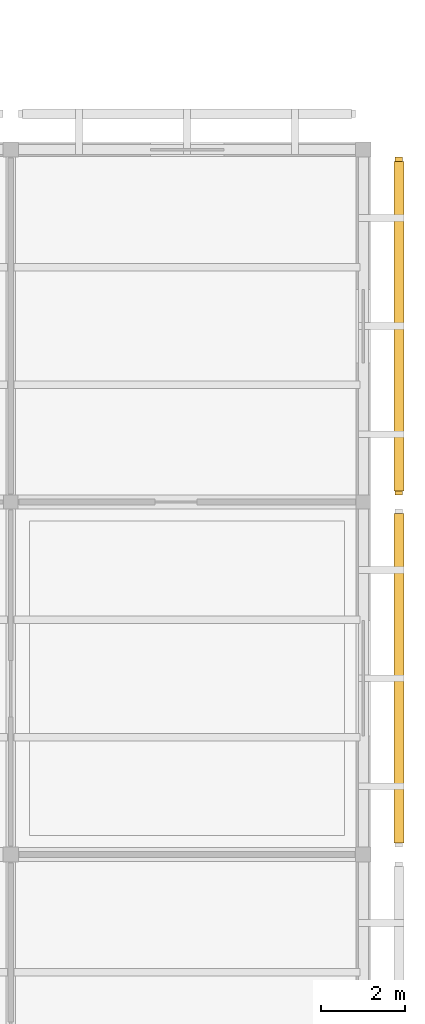
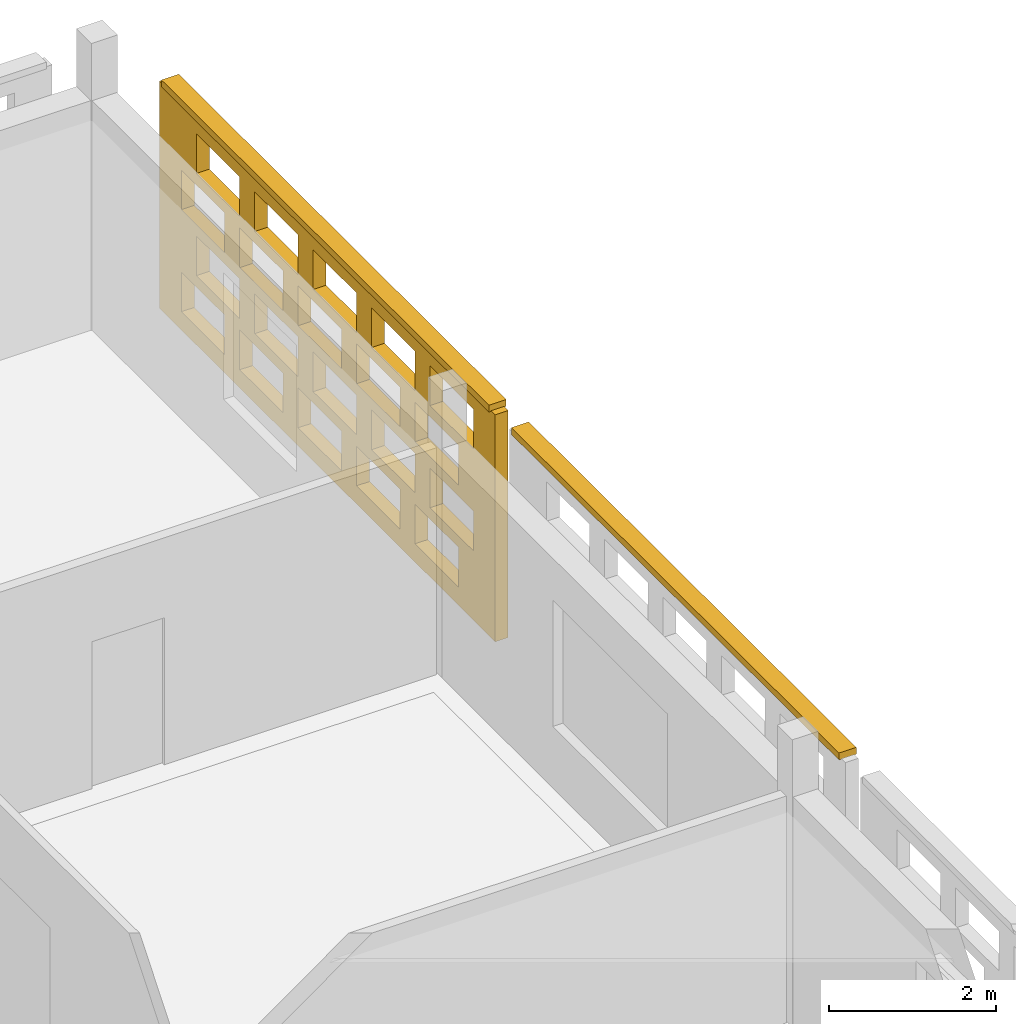
# One storey, part 103 of 103: 2 shading devices, 1 covering, 20 openings.
"""IFC4 building model written with IfcOpenShell, lengths in metres."""

from ifc_helpers import new_model, si_unit, direction, frame, frame_2d, origin, origin_2d, place, context, subcontext, project, spatial, rectangle, extrude, material, layer, layer_set, type_object, element, save


model = new_model("IFC4")

# Units and contexts
model_context = context("Model", 3, precision=1e-05, world=origin(), true_north=direction((0.0, 1.0)))
body_context = subcontext(model_context, "Body", "Model", "MODEL_VIEW")
ifc_project = project(units=[si_unit("LENGTHUNIT", "METRE"), si_unit("AREAUNIT", "SQUARE_METRE"), si_unit("VOLUMEUNIT", "CUBIC_METRE"), si_unit("PLANEANGLEUNIT", "RADIAN"), si_unit("MASSUNIT", "GRAM", prefix="KILO")], contexts=[model_context])

# Site, building, storey
site_placement = place(None, origin())
site = spatial("IfcSite", under=ifc_project, at=site_placement, CompositionType="ELEMENT")
building_placement = place(site_placement, origin())
building = spatial("IfcBuilding", under=site, at=building_placement, Name="Varnapada Polytechnic", CompositionType="ELEMENT")
storey_placement = place(building_placement, frame((0.0, 0.0, 18.0)))
storey = spatial("IfcBuildingStorey", under=building, at=storey_placement, Name="L04", CompositionType="ELEMENT", Elevation=18.0)

# Covering, openings
ifc_material = material(Name="Earth-toned architectural terracotta screen block", Category="masonry")
ifc_layer_1 = layer(ifc_material, 0.1201171875)
ifc_layer_set_1 = layer_set([ifc_layer_1], Name="Earth-toned architectural terracotta screen block")
covering_type = type_object("IfcCoveringType", Name="Terracotta Screen Cladding CLD-01", PredefinedType="CLADDING", material=ifc_layer_set_1)
covering_placement = place(storey_placement, frame((177.25, 117.419921875, 0.0), z_axis=(0.0, 0.0, 1.0), x_axis=(0.0, -1.0, 0.0)))
covering = element("IfcCovering", 1, at=covering_placement, inside=storey, type_object=covering_type, Name="L04 perforated terracotta block screen (60)", PredefinedType="CLADDING", context=body_context, shape_type="SweptSolid", body=[
    extrude(rectangle(XDim=8.0498046875, YDim=0.179931640625, at=frame_2d((4.02490234375, 0.0))), origin(), (0.0, 0.0, 1.0), 3.320068359375),
])
opening_1_placement = place(covering_placement, frame((0.52490234375, 0.0, 0.265625)))
element("IfcOpeningElement", 2, at=opening_1_placement, cuts=covering, Name="Screen perforation TBS-L04-059.1", PredefinedType="OPENING", context=body_context, shape_type="SweptSolid", body=[
    extrude(rectangle(XDim=1.0400390625, YDim=0.5810546875, at=frame_2d((0.52001953125, 0.29052734375))), frame((0.0, 0.099853515625, 0.0), z_axis=(0.0, -1.0, 0.0), x_axis=(1.0, 0.0, 0.0)), (0.0, 0.0, 1.0), 0.199951171875),
])
opening_2_placement = place(covering_placement, frame((1.925048828125, 0.0, 0.265625)))
element("IfcOpeningElement", 3, at=opening_2_placement, cuts=covering, Name="Screen perforation TBS-L04-059.2", PredefinedType="OPENING", context=body_context, shape_type="SweptSolid", body=[
    extrude(rectangle(XDim=1.0400390625, YDim=0.5810546875, at=frame_2d((0.52001953125, 0.29052734375))), frame((0.0, 0.099853515625, 0.0), z_axis=(0.0, -1.0, 0.0), x_axis=(1.0, 0.0, 0.0)), (0.0, 0.0, 1.0), 0.199951171875),
])
opening_3_placement = place(covering_placement, frame((3.324951171875, 0.0, 0.265625)))
element("IfcOpeningElement", 4, at=opening_3_placement, cuts=covering, Name="Screen perforation TBS-L04-059.3", PredefinedType="OPENING", context=body_context, shape_type="SweptSolid", body=[
    extrude(rectangle(XDim=1.0400390625, YDim=0.5810546875, at=frame_2d((0.52001953125, 0.29052734375))), frame((0.0, 0.099853515625, 0.0), z_axis=(0.0, -1.0, 0.0), x_axis=(1.0, 0.0, 0.0)), (0.0, 0.0, 1.0), 0.199951171875),
])
opening_4_placement = place(covering_placement, frame((4.72509765625, 0.0, 0.265625)))
element("IfcOpeningElement", 5, at=opening_4_placement, cuts=covering, Name="Screen perforation TBS-L04-059.4", PredefinedType="OPENING", context=body_context, shape_type="SweptSolid", body=[
    extrude(rectangle(XDim=1.0400390625, YDim=0.5810546875, at=frame_2d((0.52001953125, 0.29052734375))), frame((0.0, 0.099853515625, 0.0), z_axis=(0.0, -1.0, 0.0), x_axis=(1.0, 0.0, 0.0)), (0.0, 0.0, 1.0), 0.199951171875),
])
opening_5_placement = place(covering_placement, frame((6.125, 0.0, 0.265625)))
element("IfcOpeningElement", 6, at=opening_5_placement, cuts=covering, Name="Screen perforation TBS-L04-059.5", PredefinedType="OPENING", context=body_context, shape_type="SweptSolid", body=[
    extrude(rectangle(XDim=1.0400390625, YDim=0.5810546875, at=frame_2d((0.52001953125, 0.29052734375))), frame((0.0, 0.099853515625, 0.0), z_axis=(0.0, -1.0, 0.0), x_axis=(1.0, 0.0, 0.0)), (0.0, 0.0, 1.0), 0.199951171875),
])
opening_6_placement = place(covering_placement, frame((0.885009765625, 0.0, 1.0126953125)))
element("IfcOpeningElement", 7, at=opening_6_placement, cuts=covering, Name="Screen perforation TBS-L04-059.6", PredefinedType="OPENING", context=body_context, shape_type="SweptSolid", body=[
    extrude(rectangle(XDim=1.0400390625, YDim=0.5810546875, at=frame_2d((0.52001953125, 0.29052734375))), frame((0.0, 0.099853515625, 0.0), z_axis=(0.0, -1.0, 0.0), x_axis=(1.0, 0.0, 0.0)), (0.0, 0.0, 1.0), 0.199951171875),
])
opening_7_placement = place(covering_placement, frame((2.284912109375, 0.0, 1.0126953125)))
element("IfcOpeningElement", 8, at=opening_7_placement, cuts=covering, Name="Screen perforation TBS-L04-059.7", PredefinedType="OPENING", context=body_context, shape_type="SweptSolid", body=[
    extrude(rectangle(XDim=1.0400390625, YDim=0.5810546875, at=frame_2d((0.52001953125, 0.29052734375))), frame((0.0, 0.099853515625, 0.0), z_axis=(0.0, -1.0, 0.0), x_axis=(1.0, 0.0, 0.0)), (0.0, 0.0, 1.0), 0.199951171875),
])
opening_8_placement = place(covering_placement, frame((3.68505859375, 0.0, 1.0126953125)))
element("IfcOpeningElement", 9, at=opening_8_placement, cuts=covering, Name="Screen perforation TBS-L04-059.8", PredefinedType="OPENING", context=body_context, shape_type="SweptSolid", body=[
    extrude(rectangle(XDim=1.0400390625, YDim=0.5810546875, at=frame_2d((0.52001953125, 0.29052734375))), frame((0.0, 0.099853515625, 0.0), z_axis=(0.0, -1.0, 0.0), x_axis=(1.0, 0.0, 0.0)), (0.0, 0.0, 1.0), 0.199951171875),
])
opening_9_placement = place(covering_placement, frame((5.0849609375, 0.0, 1.0126953125)))
element("IfcOpeningElement", 10, at=opening_9_placement, cuts=covering, Name="Screen perforation TBS-L04-059.9", PredefinedType="OPENING", context=body_context, shape_type="SweptSolid", body=[
    extrude(rectangle(XDim=1.0400390625, YDim=0.5810546875, at=frame_2d((0.52001953125, 0.29052734375))), frame((0.0, 0.099853515625, 0.0), z_axis=(0.0, -1.0, 0.0), x_axis=(1.0, 0.0, 0.0)), (0.0, 0.0, 1.0), 0.199951171875),
])
opening_10_placement = place(covering_placement, frame((6.485107421875, 0.0, 1.0126953125)))
element("IfcOpeningElement", 11, at=opening_10_placement, cuts=covering, Name="Screen perforation TBS-L04-059.10", PredefinedType="OPENING", context=body_context, shape_type="SweptSolid", body=[
    extrude(rectangle(XDim=1.0400390625, YDim=0.5810546875, at=frame_2d((0.52001953125, 0.29052734375))), frame((0.0, 0.099853515625, 0.0), z_axis=(0.0, -1.0, 0.0), x_axis=(1.0, 0.0, 0.0)), (0.0, 0.0, 1.0), 0.199951171875),
])
opening_11_placement = place(covering_placement, frame((0.52490234375, 0.0, 1.759521484375)))
element("IfcOpeningElement", 12, at=opening_11_placement, cuts=covering, Name="Screen perforation TBS-L04-059.11", PredefinedType="OPENING", context=body_context, shape_type="SweptSolid", body=[
    extrude(rectangle(XDim=1.0400390625, YDim=0.5810546875, at=frame_2d((0.52001953125, 0.29052734375))), frame((0.0, 0.099853515625, 0.0), z_axis=(0.0, -1.0, 0.0), x_axis=(1.0, 0.0, 0.0)), (0.0, 0.0, 1.0), 0.199951171875),
])
opening_12_placement = place(covering_placement, frame((1.925048828125, 0.0, 1.759521484375)))
element("IfcOpeningElement", 13, at=opening_12_placement, cuts=covering, Name="Screen perforation TBS-L04-059.12", PredefinedType="OPENING", context=body_context, shape_type="SweptSolid", body=[
    extrude(rectangle(XDim=1.0400390625, YDim=0.5810546875, at=frame_2d((0.52001953125, 0.29052734375))), frame((0.0, 0.099853515625, 0.0), z_axis=(0.0, -1.0, 0.0), x_axis=(1.0, 0.0, 0.0)), (0.0, 0.0, 1.0), 0.199951171875),
])
opening_13_placement = place(covering_placement, frame((3.324951171875, 0.0, 1.759521484375)))
element("IfcOpeningElement", 14, at=opening_13_placement, cuts=covering, Name="Screen perforation TBS-L04-059.13", PredefinedType="OPENING", context=body_context, shape_type="SweptSolid", body=[
    extrude(rectangle(XDim=1.0400390625, YDim=0.5810546875, at=frame_2d((0.52001953125, 0.29052734375))), frame((0.0, 0.099853515625, 0.0), z_axis=(0.0, -1.0, 0.0), x_axis=(1.0, 0.0, 0.0)), (0.0, 0.0, 1.0), 0.199951171875),
])
opening_14_placement = place(covering_placement, frame((4.72509765625, 0.0, 1.759521484375)))
element("IfcOpeningElement", 15, at=opening_14_placement, cuts=covering, Name="Screen perforation TBS-L04-059.14", PredefinedType="OPENING", context=body_context, shape_type="SweptSolid", body=[
    extrude(rectangle(XDim=1.0400390625, YDim=0.5810546875, at=frame_2d((0.52001953125, 0.29052734375))), frame((0.0, 0.099853515625, 0.0), z_axis=(0.0, -1.0, 0.0), x_axis=(1.0, 0.0, 0.0)), (0.0, 0.0, 1.0), 0.199951171875),
])
opening_15_placement = place(covering_placement, frame((6.125, 0.0, 1.759521484375)))
element("IfcOpeningElement", 16, at=opening_15_placement, cuts=covering, Name="Screen perforation TBS-L04-059.15", PredefinedType="OPENING", context=body_context, shape_type="SweptSolid", body=[
    extrude(rectangle(XDim=1.0400390625, YDim=0.5810546875, at=frame_2d((0.52001953125, 0.29052734375))), frame((0.0, 0.099853515625, 0.0), z_axis=(0.0, -1.0, 0.0), x_axis=(1.0, 0.0, 0.0)), (0.0, 0.0, 1.0), 0.199951171875),
])
opening_16_placement = place(covering_placement, frame((0.885009765625, 0.0, 2.506591796875)))
element("IfcOpeningElement", 17, at=opening_16_placement, cuts=covering, Name="Screen perforation TBS-L04-059.16", PredefinedType="OPENING", context=body_context, shape_type="SweptSolid", body=[
    extrude(rectangle(XDim=1.0400390625, YDim=0.5810546875, at=frame_2d((0.52001953125, 0.29052734375))), frame((0.0, 0.099853515625, 0.0), z_axis=(0.0, -1.0, 0.0), x_axis=(1.0, 0.0, 0.0)), (0.0, 0.0, 1.0), 0.199951171875),
])
opening_17_placement = place(covering_placement, frame((2.284912109375, 0.0, 2.506591796875)))
element("IfcOpeningElement", 18, at=opening_17_placement, cuts=covering, Name="Screen perforation TBS-L04-059.17", PredefinedType="OPENING", context=body_context, shape_type="SweptSolid", body=[
    extrude(rectangle(XDim=1.0400390625, YDim=0.5810546875, at=frame_2d((0.52001953125, 0.29052734375))), frame((0.0, 0.099853515625, 0.0), z_axis=(0.0, -1.0, 0.0), x_axis=(1.0, 0.0, 0.0)), (0.0, 0.0, 1.0), 0.199951171875),
])
opening_18_placement = place(covering_placement, frame((3.68505859375, 0.0, 2.506591796875)))
element("IfcOpeningElement", 19, at=opening_18_placement, cuts=covering, Name="Screen perforation TBS-L04-059.18", PredefinedType="OPENING", context=body_context, shape_type="SweptSolid", body=[
    extrude(rectangle(XDim=1.0400390625, YDim=0.5810546875, at=frame_2d((0.52001953125, 0.29052734375))), frame((0.0, 0.099853515625, 0.0), z_axis=(0.0, -1.0, 0.0), x_axis=(1.0, 0.0, 0.0)), (0.0, 0.0, 1.0), 0.199951171875),
])
opening_19_placement = place(covering_placement, frame((5.0849609375, 0.0, 2.506591796875)))
element("IfcOpeningElement", 20, at=opening_19_placement, cuts=covering, Name="Screen perforation TBS-L04-059.19", PredefinedType="OPENING", context=body_context, shape_type="SweptSolid", body=[
    extrude(rectangle(XDim=1.0400390625, YDim=0.5810546875, at=frame_2d((0.52001953125, 0.29052734375))), frame((0.0, 0.099853515625, 0.0), z_axis=(0.0, -1.0, 0.0), x_axis=(1.0, 0.0, 0.0)), (0.0, 0.0, 1.0), 0.199951171875),
])
opening_20_placement = place(covering_placement, frame((6.485107421875, 0.0, 2.506591796875)))
element("IfcOpeningElement", 21, at=opening_20_placement, cuts=covering, Name="Screen perforation TBS-L04-059.20", PredefinedType="OPENING", context=body_context, shape_type="SweptSolid", body=[
    extrude(rectangle(XDim=1.0400390625, YDim=0.5810546875, at=frame_2d((0.52001953125, 0.29052734375))), frame((0.0, 0.099853515625, 0.0), z_axis=(0.0, -1.0, 0.0), x_axis=(1.0, 0.0, 0.0)), (0.0, 0.0, 1.0), 0.199951171875),
])

# Shading devices
ifc_layer_2 = layer(ifc_material, 0.179931640625)
ifc_layer_set_2 = layer_set([ifc_layer_2], Name="Earth-toned architectural terracotta screen block")
shading_device_type = type_object("IfcShadingDeviceType", Name="Terracotta Screen SCR-01", PredefinedType="USERDEFINED", material=ifc_layer_set_2)
for number, where, z_axis, x_axis, name in (
    (22, (177.25, 105.0048828125, 3.31005859375), (0.0, 0.0, 1.0), (0.0, -1.0, 0.0), "L04 perforated terracotta screen hood 473"),
    (23, (177.25, 113.39501953125, 3.31005859375), (0.0, 0.0, 1.0), (0.0, -1.0, 0.0), "L04 perforated terracotta screen hood 475"),
):
    element("IfcShadingDevice", number, at=place(storey_placement, frame(where, z_axis=z_axis, x_axis=x_axis)), inside=storey, type_object=shading_device_type, Name=name, ObjectType="SCREEN", PredefinedType="USERDEFINED", context=body_context, shape_type="SweptSolid", body=[
        extrude(rectangle(XDim=7.85009765625, YDim=0.239990234375, at=origin_2d()), origin(), (0.0, 0.0, 1.0), 0.10009765625),
    ])

save(model, "model.ifc")
